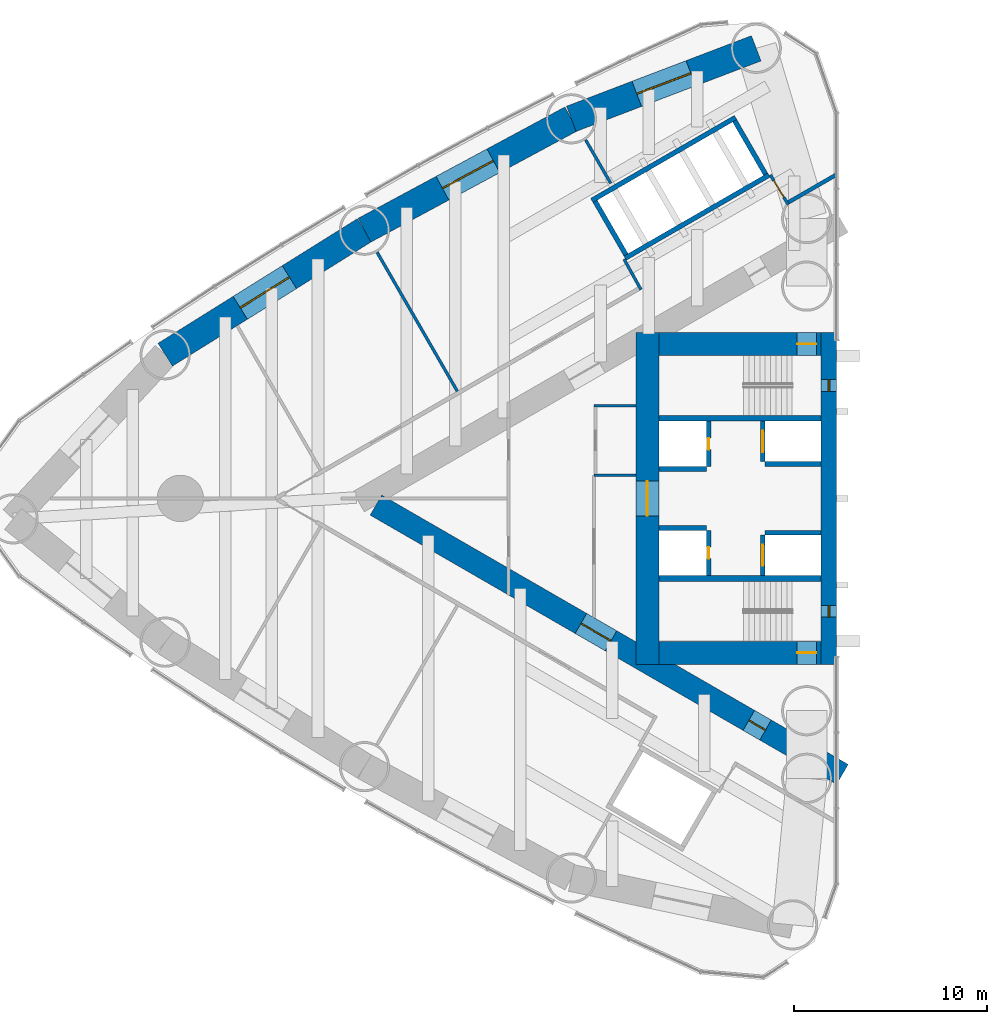
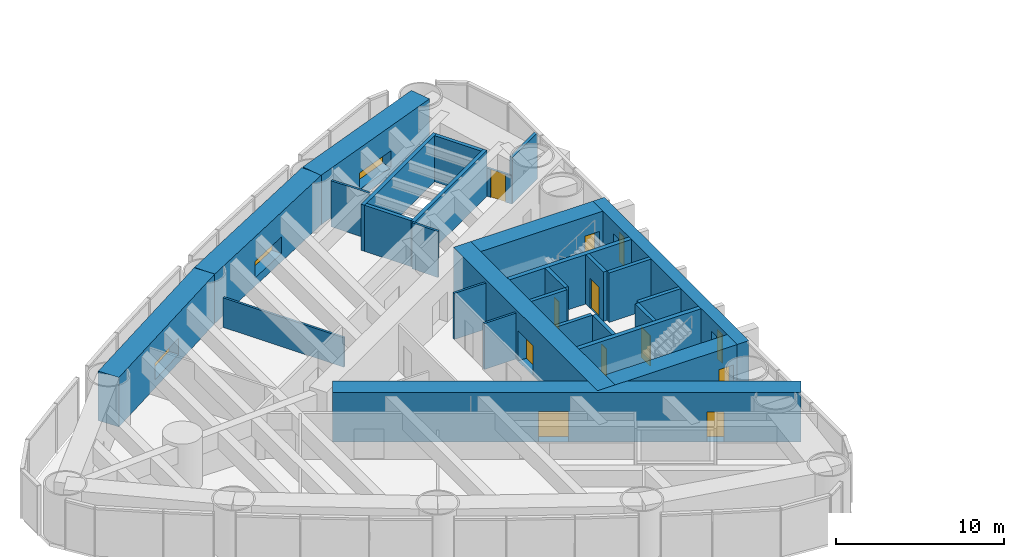
# One storey, part 12 of 16: 29 walls, 10 doors, 5 windows, 15 openings.
"""IFC4 building model written with IfcOpenShell, lengths in metres."""

from ifc_helpers import new_model, si_unit, direction, frame, frame_2d, origin, place, context, subcontext, project, spatial, rectangle, extrude, material, layer, layer_set, type_object, element, fill, save


model = new_model("IFC4")

# Units and contexts
model_context = context("Model", 3, precision=1e-05, world=origin(), true_north=direction((0.0, 1.0)))
body_context = subcontext(model_context, "Body", "Model", "MODEL_VIEW")
ifc_project = project(units=[si_unit("LENGTHUNIT", "METRE"), si_unit("AREAUNIT", "SQUARE_METRE"), si_unit("VOLUMEUNIT", "CUBIC_METRE"), si_unit("PLANEANGLEUNIT", "RADIAN"), si_unit("MASSUNIT", "GRAM", prefix="KILO")], contexts=[model_context])

# Site, building, storey
site_placement = place(None, origin())
site = spatial("IfcSite", under=ifc_project, at=site_placement, CompositionType="ELEMENT")
building_placement = place(site_placement, origin())
building = spatial("IfcBuilding", under=site, at=building_placement, Name="Lancet Gate Hotel", CompositionType="ELEMENT")
storey_placement = place(building_placement, frame((0.0, 0.0, 143.10009765625)))
storey = spatial("IfcBuildingStorey", under=building, at=storey_placement, Name="L38", CompositionType="ELEMENT", Elevation=143.10009765625)

# Wall, opening, window
ifc_material_1 = material(Name="Concrete C80/95", Category="concrete")
ifc_layer_1 = layer(ifc_material_1, 1.39990234375)
ifc_layer_set_1 = layer_set([ifc_layer_1], Name="Belt wall 1400")
wall_type_1 = type_object("IfcWallType", Name="Belt wall 1400", PredefinedType="SHEAR", material=ifc_layer_set_1)
wall_1_placement = place(storey_placement, frame((-31.66455078125, 23.318359375, 0.0), z_axis=(0.0, 0.0, 1.0), x_axis=(-0.934392266213, -0.356245832033, 0.0)))
wall_1 = element("IfcWall", 1, at=wall_1_placement, inside=storey, type_object=wall_type_1, Name="T1 belt wall CS-OS1 L38", PredefinedType="SHEAR", context=body_context, shape_type="SweptSolid", body=[
    extrude(rectangle(XDim=10.2529296875, YDim=1.39990234375, at=frame_2d((5.12646484375, 0.0))), origin(), (0.0, 0.0, 1.0), 3.599853515625),
])
opening_1_placement = place(wall_1_placement, frame((3.62646484375, 0.0, 0.60009765625)))
opening_1 = element("IfcOpeningElement", 2, at=opening_1_placement, cuts=wall_1, Name="Opening LV1", PredefinedType="OPENING", context=body_context, shape_type="SweptSolid", body=[
    extrude(rectangle(XDim=3.0, YDim=1.199951171875, at=frame_2d((1.5, 0.60009765625))), frame((0.0, 0.7099609375, 0.0), z_axis=(0.0, -1.0, 0.0), x_axis=(1.0, 0.0, 0.0)), (0.0, 0.0, 1.0), 1.419921875),
])
ifc_material_2 = material(Name="Aluminium weather louvre", Category="aluminium")
window_type_1 = type_object("IfcWindowType", Name="Refuge louvre 3000x1200", PartitioningType="SINGLE_PANEL", PredefinedType="WINDOW", material=ifc_material_2)
window_1_placement = place(opening_1_placement, origin())
window_1 = element("IfcWindow", 3, at=window_1_placement, inside=storey, type_object=window_type_1, Name="T1 belt louvre CS-OS1 L38", OverallHeight=1.199951171875, OverallWidth=3.0, PartitioningType="SINGLE_PANEL", PredefinedType="WINDOW", context=body_context, shape_type="SweptSolid", body=[
    extrude(rectangle(XDim=3.0, YDim=1.199951171875, at=frame_2d((1.5, 0.60009765625))), frame((0.0, 0.030029296875, 0.0), z_axis=(0.0, -1.0, 0.0), x_axis=(1.0, 0.0, 0.0)), (0.0, 0.0, 1.0), 0.06005859375),
])
fill(opening_1, window_1)

wall_2_placement = place(storey_placement, frame((-41.244873046875, 19.665771484375, 0.0), z_axis=(0.0, 0.0, 1.0), x_axis=(-0.880492350889, -0.474060354835, 0.0)))
wall_2 = element("IfcWall", 4, at=wall_2_placement, inside=storey, type_object=wall_type_1, Name="T1 belt wall OS1-OS2 L38", PredefinedType="SHEAR", context=body_context, shape_type="SweptSolid", body=[
    extrude(rectangle(XDim=12.173095703125, YDim=1.39990234375, at=frame_2d((6.08642578125, 0.0))), origin(), (0.0, 0.0, 1.0), 3.599853515625),
])
opening_2_placement = place(wall_2_placement, frame((4.58642578125, 0.0, 0.60009765625)))
opening_2 = element("IfcOpeningElement", 5, at=opening_2_placement, cuts=wall_2, Name="Opening LV1", PredefinedType="OPENING", context=body_context, shape_type="SweptSolid", body=[
    extrude(rectangle(XDim=3.0, YDim=1.199951171875, at=frame_2d((1.5, 0.60009765625))), frame((0.0, 0.7099609375, 0.0), z_axis=(0.0, -1.0, 0.0), x_axis=(1.0, 0.0, 0.0)), (0.0, 0.0, 1.0), 1.419921875),
])
window_2_placement = place(opening_2_placement, origin())
window_2 = element("IfcWindow", 6, at=window_2_placement, inside=storey, type_object=window_type_1, Name="T1 belt louvre OS1-OS2 L38", OverallHeight=1.199951171875, OverallWidth=3.0, PartitioningType="SINGLE_PANEL", PredefinedType="WINDOW", context=body_context, shape_type="SweptSolid", body=[
    extrude(rectangle(XDim=3.0, YDim=1.199951171875, at=frame_2d((1.5, 0.60009765625))), frame((0.0, 0.030029296875, 0.0), z_axis=(0.0, -1.0, 0.0), x_axis=(1.0, 0.0, 0.0)), (0.0, 0.0, 1.0), 0.06005859375),
])
fill(opening_2, window_2)

wall_3_placement = place(storey_placement, frame((-51.963134765625, 13.89501953125, 0.0), z_axis=(0.0, 0.0, 1.0), x_axis=(-0.848062521637, -0.529896177939, 0.0)))
wall_3 = element("IfcWall", 7, at=wall_3_placement, inside=storey, type_object=wall_type_1, Name="T1 belt wall OS2-OS3 L38", PredefinedType="SHEAR", context=body_context, shape_type="SweptSolid", body=[
    extrude(rectangle(XDim=12.173095703125, YDim=1.39990234375, at=frame_2d((6.08642578125, 0.0))), origin(), (0.0, 0.0, 1.0), 3.599853515625),
])
opening_3_placement = place(wall_3_placement, frame((4.58642578125, 0.0, 0.60009765625)))
opening_3 = element("IfcOpeningElement", 8, at=opening_3_placement, cuts=wall_3, Name="Opening LV1", PredefinedType="OPENING", context=body_context, shape_type="SweptSolid", body=[
    extrude(rectangle(XDim=3.0, YDim=1.199951171875, at=frame_2d((1.5, 0.60009765625))), frame((0.0, 0.7099609375, 0.0), z_axis=(0.0, -1.0, 0.0), x_axis=(1.0, 0.0, 0.0)), (0.0, 0.0, 1.0), 1.419921875),
])
window_3_placement = place(opening_3_placement, origin())
window_3 = element("IfcWindow", 9, at=window_3_placement, inside=storey, type_object=window_type_1, Name="T1 belt louvre OS2-OS3 L38", OverallHeight=1.199951171875, OverallWidth=3.0, PartitioningType="SINGLE_PANEL", PredefinedType="WINDOW", context=body_context, shape_type="SweptSolid", body=[
    extrude(rectangle(XDim=3.0, YDim=1.199951171875, at=frame_2d((1.5, 0.60009765625))), frame((0.0, 0.030029296875, 0.0), z_axis=(0.0, -1.0, 0.0), x_axis=(1.0, 0.0, 0.0)), (0.0, 0.0, 1.0), 0.06005859375),
])
fill(opening_3, window_3)

# Wall, openings, doors
ifc_material_3 = material(Name="Concrete C70/85", Category="concrete")
ifc_layer_2 = layer(ifc_material_3, 1.199951171875)
ifc_layer_set_2 = layer_set([ifc_layer_2], Name="Buttress wall 1200")
wall_type_2 = type_object("IfcWallType", Name="Buttress wall 1200", PredefinedType="SHEAR", material=ifc_layer_set_2)
wall_4_placement = place(storey_placement, frame((-27.199951171875, -14.300048828125, 0.0), z_axis=(0.0, 0.0, 1.0), x_axis=(-0.866024021859, 0.500002393557, 0.0)))
wall_4 = element("IfcWall", 10, at=wall_4_placement, inside=storey, type_object=wall_type_2, Name="T1 buttress wall N L38", PredefinedType="SHEAR", context=body_context, shape_type="SweptSolid", body=[
    extrude(rectangle(XDim=27.906982421875, YDim=1.199951171875, at=frame_2d((13.95361328125, 0.0))), origin(), (0.0, 0.0, 1.0), 3.599853515625),
])
opening_4_placement = place(wall_4_placement, frame((4.60009765625, 0.0, 0.0)))
opening_4 = element("IfcOpeningElement", 11, at=opening_4_placement, cuts=wall_4, Name="Opening T1-L38-LN", PredefinedType="OPENING", context=body_context, shape_type="SweptSolid", body=[
    extrude(rectangle(XDim=1.0, YDim=2.199951171875, at=frame_2d((0.5, 1.10009765625))), frame((0.0, 0.60986328125, 0.0), z_axis=(0.0, -1.0, 0.0), x_axis=(1.0, 0.0, 0.0)), (0.0, 0.0, 1.0), 1.219970703125),
])
opening_5_placement = place(wall_4_placement, frame((13.844970703125, 0.0, 0.0)))
opening_5 = element("IfcOpeningElement", 12, at=opening_5_placement, cuts=wall_4, Name="Opening T1-L38-LHN", PredefinedType="OPENING", context=body_context, shape_type="SweptSolid", body=[
    extrude(rectangle(XDim=1.800048828125, YDim=2.199951171875, at=frame_2d((0.89990234375, 1.10009765625))), frame((0.0, 0.60986328125, 0.0), z_axis=(0.0, -1.0, 0.0), x_axis=(1.0, 0.0, 0.0)), (0.0, 0.0, 1.0), 1.219970703125),
])
ifc_material_4 = material(Name="Timber door set", Category="wood")
door_type_1 = type_object("IfcDoorType", Name="Lobby double door 1800", OperationType="DOUBLE_DOOR_SINGLE_SWING", PredefinedType="DOOR", material=ifc_material_4)
door_1_placement = place(opening_5_placement, origin())
door_1 = element("IfcDoor", 13, at=door_1_placement, inside=storey, type_object=door_type_1, Name="T1-L38-LHN", OperationType="DOUBLE_DOOR_SINGLE_SWING", OverallHeight=2.199951171875, OverallWidth=1.800048828125, PredefinedType="DOOR", context=body_context, shape_type="SweptSolid", body=[
    extrude(rectangle(XDim=1.800048828125, YDim=2.199951171875, at=frame_2d((0.89990234375, 1.10009765625))), frame((0.0, 0.02490234375, 0.0), z_axis=(0.0, -1.0, 0.0), x_axis=(1.0, 0.0, 0.0)), (0.0, 0.0, 1.0), 0.050048828125),
])
fill(opening_5, door_1)
ifc_material_5 = material(Name="Timber door set", Category="wood")
door_type_2 = type_object("IfcDoorType", Name="Stair lobby door 1000", OperationType="SINGLE_SWING_LEFT", PredefinedType="DOOR", material=ifc_material_5)
door_2_placement = place(opening_4_placement, origin())
door_2 = element("IfcDoor", 14, at=door_2_placement, inside=storey, type_object=door_type_2, Name="T1-L38-LN", OperationType="SINGLE_SWING_LEFT", OverallHeight=2.199951171875, OverallWidth=1.0, PredefinedType="DOOR", context=body_context, shape_type="SweptSolid", body=[
    extrude(rectangle(XDim=1.0, YDim=2.199951171875, at=frame_2d((0.5, 1.10009765625))), frame((0.0, 0.02490234375, 0.0), z_axis=(0.0, -1.0, 0.0), x_axis=(1.0, 0.0, 0.0)), (0.0, 0.0, 1.0), 0.050048828125),
])
fill(opening_4, door_2)

# Wall, opening, door
ifc_material_6 = material(Name="Concrete C70/85", Category="concrete")
ifc_layer_3 = layer(ifc_material_6, 1.199951171875)
ifc_layer_set_3 = layer_set([ifc_layer_3], Name="Core wall 1200")
wall_type_3 = type_object("IfcWallType", Name="Core wall 1200", PredefinedType="SHEAR", material=ifc_layer_set_3)
wall_5_placement = place(storey_placement, frame((-37.300048828125, 8.60009765625, 0.0), z_axis=(0.0, 0.0, 1.0), x_axis=(0.0, -1.0, 0.0)))
wall_5 = element("IfcWall", 15, at=wall_5_placement, inside=storey, type_object=wall_type_3, Name="T1 core wall back L38", PredefinedType="SHEAR", context=body_context, shape_type="SweptSolid", body=[
    extrude(rectangle(XDim=17.2001953125, YDim=1.199951171875, at=frame_2d((8.60009765625, 0.0))), origin(), (0.0, 0.0, 1.0), 3.599853515625),
])
opening_6_placement = place(wall_5_placement, frame((7.699951171875, 0.0, 0.0)))
opening_6 = element("IfcOpeningElement", 16, at=opening_6_placement, cuts=wall_5, Name="Opening T1-L38-LL", PredefinedType="OPENING", context=body_context, shape_type="SweptSolid", body=[
    extrude(rectangle(XDim=1.800048828125, YDim=2.199951171875, at=frame_2d((0.89990234375, 1.10009765625))), frame((0.0, 0.60986328125, 0.0), z_axis=(0.0, -1.0, 0.0), x_axis=(1.0, 0.0, 0.0)), (0.0, 0.0, 1.0), 1.219970703125),
])
door_3_placement = place(opening_6_placement, origin())
door_3 = element("IfcDoor", 17, at=door_3_placement, inside=storey, type_object=door_type_1, Name="T1-L38-LL", OperationType="DOUBLE_DOOR_SINGLE_SWING", OverallHeight=2.199951171875, OverallWidth=1.800048828125, PredefinedType="DOOR", context=body_context, shape_type="SweptSolid", body=[
    extrude(rectangle(XDim=1.800048828125, YDim=2.199951171875, at=frame_2d((0.89990234375, 1.10009765625))), frame((0.0, 0.02490234375, 0.0), z_axis=(0.0, -1.0, 0.0), x_axis=(1.0, 0.0, 0.0)), (0.0, 0.0, 1.0), 0.050048828125),
])
fill(opening_6, door_3)

wall_6_placement = place(storey_placement, frame((-28.300048828125, 8.0, 0.0), z_axis=(0.0, 0.0, 1.0), x_axis=(-1.0, 0.0, 0.0)))
wall_6 = element("IfcWall", 18, at=wall_6_placement, inside=storey, type_object=wall_type_3, Name="T1 core wall side-S L38", PredefinedType="SHEAR", context=body_context, shape_type="SweptSolid", body=[
    extrude(rectangle(XDim=8.39990234375, YDim=1.199951171875, at=frame_2d((4.199951171875, 0.0))), origin(), (0.0, 0.0, 1.0), 3.599853515625),
])
opening_7_placement = place(wall_6_placement, frame((0.25, 0.0, 0.0)))
opening_7 = element("IfcOpeningElement", 19, at=opening_7_placement, cuts=wall_6, Name="Opening T1-L38-ST1", PredefinedType="OPENING", context=body_context, shape_type="SweptSolid", body=[
    extrude(rectangle(XDim=1.0, YDim=2.199951171875, at=frame_2d((0.5, 1.10009765625))), frame((0.0, 0.60986328125, 0.0), z_axis=(0.0, -1.0, 0.0), x_axis=(1.0, 0.0, 0.0)), (0.0, 0.0, 1.0), 1.219970703125),
])
ifc_material_7 = material(Name="Timber door set", Category="wood")
door_type_3 = type_object("IfcDoorType", Name="Stair door 1000", OperationType="SINGLE_SWING_RIGHT", PredefinedType="DOOR", material=ifc_material_7)
door_4_placement = place(opening_7_placement, origin())
door_4 = element("IfcDoor", 20, at=door_4_placement, inside=storey, type_object=door_type_3, Name="T1-L38-ST1", OperationType="SINGLE_SWING_RIGHT", OverallHeight=2.199951171875, OverallWidth=1.0, PredefinedType="DOOR", context=body_context, shape_type="SweptSolid", body=[
    extrude(rectangle(XDim=1.0, YDim=2.199951171875, at=frame_2d((0.5, 1.10009765625))), frame((0.0, 0.02490234375, 0.0), z_axis=(0.0, -1.0, 0.0), x_axis=(1.0, 0.0, 0.0)), (0.0, 0.0, 1.0), 0.050048828125),
])
fill(opening_7, door_4)

wall_7_placement = place(storey_placement, frame((-28.300048828125, -8.0, 0.0), z_axis=(0.0, 0.0, 1.0), x_axis=(-1.0, 0.0, 0.0)))
wall_7 = element("IfcWall", 21, at=wall_7_placement, inside=storey, type_object=wall_type_3, Name="T1 core wall side-N L38", PredefinedType="SHEAR", context=body_context, shape_type="SweptSolid", body=[
    extrude(rectangle(XDim=8.39990234375, YDim=1.199951171875, at=frame_2d((4.199951171875, 0.0))), origin(), (0.0, 0.0, 1.0), 3.599853515625),
])
opening_8_placement = place(wall_7_placement, frame((0.25, 0.0, 0.0)))
opening_8 = element("IfcOpeningElement", 22, at=opening_8_placement, cuts=wall_7, Name="Opening T1-L38-ST2", PredefinedType="OPENING", context=body_context, shape_type="SweptSolid", body=[
    extrude(rectangle(XDim=1.0, YDim=2.199951171875, at=frame_2d((0.5, 1.10009765625))), frame((0.0, 0.60986328125, 0.0), z_axis=(0.0, -1.0, 0.0), x_axis=(1.0, 0.0, 0.0)), (0.0, 0.0, 1.0), 1.219970703125),
])
door_5_placement = place(opening_8_placement, origin())
door_5 = element("IfcDoor", 23, at=door_5_placement, inside=storey, type_object=door_type_3, Name="T1-L38-ST2", OperationType="SINGLE_SWING_RIGHT", OverallHeight=2.199951171875, OverallWidth=1.0, PredefinedType="DOOR", context=body_context, shape_type="SweptSolid", body=[
    extrude(rectangle(XDim=1.0, YDim=2.199951171875, at=frame_2d((0.5, 1.10009765625))), frame((0.0, 0.02490234375, 0.0), z_axis=(0.0, -1.0, 0.0), x_axis=(1.0, 0.0, 0.0)), (0.0, 0.0, 1.0), 0.050048828125),
])
fill(opening_8, door_5)

# Wall, openings, windows
ifc_material_8 = material(Name="Concrete C70/85", Category="concrete")
ifc_layer_4 = layer(ifc_material_8, 0.800048828125)
ifc_layer_set_4 = layer_set([ifc_layer_4], Name="Core wall 800")
wall_type_4 = type_object("IfcWallType", Name="Core wall 800", PredefinedType="SHEAR", material=ifc_layer_set_4)
wall_8_placement = place(storey_placement, frame((-27.89990234375, 8.60009765625, 0.0), z_axis=(0.0, 0.0, 1.0), x_axis=(0.0, -1.0, 0.0)))
wall_8 = element("IfcWall", 24, at=wall_8_placement, inside=storey, type_object=wall_type_4, Name="T1 core wall front L38", PredefinedType="SHEAR", context=body_context, shape_type="SweptSolid", body=[
    extrude(rectangle(XDim=17.2001953125, YDim=0.800048828125, at=frame_2d((8.60009765625, 0.0))), origin(), (0.0, 0.0, 1.0), 3.599853515625),
])
opening_9_placement = place(wall_8_placement, frame((2.449951171875, 0.0, 0.60009765625)))
opening_9 = element("IfcOpeningElement", 25, at=opening_9_placement, cuts=wall_8, Name="Opening LW1", PredefinedType="OPENING", context=body_context, shape_type="SweptSolid", body=[
    extrude(rectangle(XDim=0.60009765625, YDim=2.10009765625, at=frame_2d((0.300048828125, 1.050048828125))), frame((0.0, 0.409912109375, 0.0), z_axis=(0.0, -1.0, 0.0), x_axis=(1.0, 0.0, 0.0)), (0.0, 0.0, 1.0), 0.820068359375),
])
opening_10_placement = place(wall_8_placement, frame((14.14990234375, 0.0, 0.60009765625)))
opening_10 = element("IfcOpeningElement", 26, at=opening_10_placement, cuts=wall_8, Name="Opening LW1", PredefinedType="OPENING", context=body_context, shape_type="SweptSolid", body=[
    extrude(rectangle(XDim=0.60009765625, YDim=2.10009765625, at=frame_2d((0.300048828125, 1.050048828125))), frame((0.0, 0.409912109375, 0.0), z_axis=(0.0, -1.0, 0.0), x_axis=(1.0, 0.0, 0.0)), (0.0, 0.0, 1.0), 0.820068359375),
])
ifc_material_9 = material(Name="Fire-resisting glazed steel window", Category="steel")
window_type_2 = type_object("IfcWindowType", Name="Lancet window 600x2100", PartitioningType="SINGLE_PANEL", PredefinedType="WINDOW", material=ifc_material_9)
window_4_placement = place(opening_9_placement, origin())
window_4 = element("IfcWindow", 27, at=window_4_placement, inside=storey, type_object=window_type_2, Name="T1 stair window S L38", OverallHeight=2.10009765625, OverallWidth=0.60009765625, PartitioningType="SINGLE_PANEL", PredefinedType="WINDOW", context=body_context, shape_type="SweptSolid", body=[
    extrude(rectangle(XDim=0.60009765625, YDim=2.10009765625, at=frame_2d((0.300048828125, 1.050048828125))), frame((0.0, 0.030029296875, 0.0), z_axis=(0.0, -1.0, 0.0), x_axis=(1.0, 0.0, 0.0)), (0.0, 0.0, 1.0), 0.06005859375),
])
fill(opening_9, window_4)
window_5_placement = place(opening_10_placement, origin())
window_5 = element("IfcWindow", 28, at=window_5_placement, inside=storey, type_object=window_type_2, Name="T1 stair window N L38", OverallHeight=2.10009765625, OverallWidth=0.60009765625, PartitioningType="SINGLE_PANEL", PredefinedType="WINDOW", context=body_context, shape_type="SweptSolid", body=[
    extrude(rectangle(XDim=0.60009765625, YDim=2.10009765625, at=frame_2d((0.300048828125, 1.050048828125))), frame((0.0, 0.030029296875, 0.0), z_axis=(0.0, -1.0, 0.0), x_axis=(1.0, 0.0, 0.0)), (0.0, 0.0, 1.0), 0.06005859375),
])
fill(opening_10, window_5)

# Walls
ifc_material_10 = material(Name="Gypsum board partition")
ifc_layer_5 = layer(ifc_material_10, 0.199951171875)
ifc_layer_set_5 = layer_set([ifc_layer_5], Name="Corridor wall 200")
wall_type_5 = type_object("IfcWallType", Name="Corridor wall 200", PredefinedType="PARTITIONING", material=ifc_layer_set_5)
wall_9_placement = place(storey_placement, frame((-27.5, 16.782470703125, 0.0), z_axis=(0.0, 0.0, 1.0), x_axis=(-0.866045812642, -0.499964649156, 0.0)))
element("IfcWall", 29, at=wall_9_placement, inside=storey, type_object=wall_type_5, Name="T1 corridor wall 200 L38", PredefinedType="PARTITIONING", context=body_context, shape_type="SweptSolid", body=[
    extrude(rectangle(XDim=2.937744140625, YDim=0.199951171875, at=frame_2d((1.46875, 0.0))), origin(), (0.0, 0.0, 1.0), 3.349853515625),
])
ifc_material_11 = material(Name="Gypsum board partition")
ifc_layer_6 = layer(ifc_material_11, 0.25)
ifc_layer_set_6 = layer_set([ifc_layer_6], Name="Lift shaft partition 250")
wall_type_6 = type_object("IfcWallType", Name="Lift shaft partition 250", PredefinedType="PARTITIONING", material=ifc_layer_set_6)
for number, where, z_axis, x_axis, name in (
    (30, (-31.010498046875, 16.747314453125, 0.0), (0.0, 0.0, 1.0), (-0.866028165386, -0.499995216735, 0.0), "T1 lift shaft wall LR L38"),
    (31, (-32.735595703125, 19.73583984375, 0.0), (0.0, 0.0, 1.0), (-0.866028165386, -0.499995216735, 0.0), "T1 lift shaft wall LR L38"),
):
    element("IfcWall", number, at=place(storey_placement, frame(where, z_axis=z_axis, x_axis=x_axis)), inside=storey, type_object=wall_type_6, Name=name, PredefinedType="PARTITIONING", context=body_context, shape_type="SweptSolid", body=[
        extrude(rectangle(XDim=8.60009765625, YDim=0.25, at=frame_2d((4.300048828125, 0.0))), origin(), (0.0, 0.0, 1.0), 3.349853515625),
    ])
wall_10_placement = place(storey_placement, frame((-31.18115234375, 16.79296875, 0.0), z_axis=(0.0, 0.0, 1.0), x_axis=(-0.499929347863, 0.866066190972, 0.0)))
element("IfcWall", 32, at=wall_10_placement, inside=storey, type_object=wall_type_6, Name="T1 lift shaft wall LR L38", PredefinedType="PARTITIONING", context=body_context, shape_type="SweptSolid", body=[
    extrude(rectangle(XDim=3.20068359375, YDim=0.25, at=frame_2d((1.600341796875, 0.0))), origin(), (0.0, 0.0, 1.0), 3.349853515625),
])
wall_11_placement = place(storey_placement, frame((-38.412841796875, 12.617919921875, 0.0), z_axis=(0.0, 0.0, 1.0), x_axis=(-0.499872130319, 0.866099216793, 0.0)))
element("IfcWall", 33, at=wall_11_placement, inside=storey, type_object=wall_type_6, Name="T1 lift shaft wall LR L38", PredefinedType="PARTITIONING", context=body_context, shape_type="SweptSolid", body=[
    extrude(rectangle(XDim=3.200439453125, YDim=0.25, at=frame_2d((1.60009765625, 0.0))), origin(), (0.0, 0.0, 1.0), 3.349853515625),
])

# Wall, opening, door
ifc_material_12 = material(Name="Concrete C50/60", Category="concrete")
ifc_layer_7 = layer(ifc_material_12, 0.25)
ifc_layer_set_7 = layer_set([ifc_layer_7], Name="Lift shaft wall 250")
wall_type_7 = type_object("IfcWallType", Name="Lift shaft wall 250", PredefinedType="SHEAR", material=ifc_layer_set_7)
wall_12_placement = place(storey_placement, frame((-31.324951171875, 4.0, 0.0), z_axis=(0.0, 0.0, 1.0), x_axis=(0.0, -1.0, 0.0)))
wall_12 = element("IfcWall", 34, at=wall_12_placement, inside=storey, type_object=wall_type_7, Name="T1 core wall row1-S L38", PredefinedType="SHEAR", context=body_context, shape_type="SweptSolid", body=[
    extrude(rectangle(XDim=2.10009765625, YDim=0.25, at=frame_2d((1.050048828125, 0.0))), origin(), (0.0, 0.0, 1.0), 3.599853515625),
])
opening_11_placement = place(wall_12_placement, frame((0.5, 0.0, 0.0)))
opening_11 = element("IfcOpeningElement", 35, at=opening_11_placement, cuts=wall_12, Name="Opening T1-SL1-L38", PredefinedType="OPENING", context=body_context, shape_type="SweptSolid", body=[
    extrude(rectangle(XDim=1.10009765625, YDim=2.199951171875, at=frame_2d((0.550048828125, 1.10009765625))), frame((0.0, 0.135009765625, 0.0), z_axis=(0.0, -1.0, 0.0), x_axis=(1.0, 0.0, 0.0)), (0.0, 0.0, 1.0), 0.27001953125),
])
ifc_material_13 = material(Name="Timber door set", Category="wood")
door_type_4 = type_object("IfcDoorType", Name="Service lift landing door 1100", OperationType="SLIDING_TO_LEFT", PredefinedType="USERDEFINED", material=ifc_material_13)
door_6_placement = place(opening_11_placement, origin())
door_6 = element("IfcDoor", 36, at=door_6_placement, inside=storey, type_object=door_type_4, Name="T1-SL1-L38", ObjectType="LIFT LANDING DOOR", OperationType="SLIDING_TO_LEFT", OverallHeight=2.199951171875, OverallWidth=1.10009765625, PredefinedType="USERDEFINED", context=body_context, shape_type="SweptSolid", body=[
    extrude(rectangle(XDim=1.10009765625, YDim=2.199951171875, at=frame_2d((0.550048828125, 1.10009765625))), frame((0.0, 0.02490234375, 0.0), z_axis=(0.0, -1.0, 0.0), x_axis=(1.0, 0.0, 0.0)), (0.0, 0.0, 1.0), 0.050048828125),
])
fill(opening_11, door_6)

wall_13_placement = place(storey_placement, frame((-34.125, 4.0, 0.0), z_axis=(0.0, 0.0, 1.0), x_axis=(0.0, -1.0, 0.0)))
wall_13 = element("IfcWall", 37, at=wall_13_placement, inside=storey, type_object=wall_type_7, Name="T1 core wall row2-S L38", PredefinedType="SHEAR", context=body_context, shape_type="SweptSolid", body=[
    extrude(rectangle(XDim=2.35009765625, YDim=0.25, at=frame_2d((1.175048828125, 0.0))), origin(), (0.0, 0.0, 1.0), 3.599853515625),
])
opening_12_placement = place(wall_13_placement, frame((0.875, 0.0, 0.0)))
opening_12 = element("IfcOpeningElement", 38, at=opening_12_placement, cuts=wall_13, Name="Opening T1-OL3-L38-E", PredefinedType="OPENING", context=body_context, shape_type="SweptSolid", body=[
    extrude(rectangle(XDim=0.60009765625, YDim=2.0, at=frame_2d((0.300048828125, 1.0))), frame((0.0, 0.135009765625, 0.0), z_axis=(0.0, -1.0, 0.0), x_axis=(1.0, 0.0, 0.0)), (0.0, 0.0, 1.0), 0.27001953125),
])
ifc_material_14 = material(Name="Steel door set", Category="steel")
door_type_5 = type_object("IfcDoorType", Name="Lift shaft emergency door 600x2000", OperationType="SLIDING_TO_LEFT", PredefinedType="DOOR", material=ifc_material_14)
door_7_placement = place(opening_12_placement, origin())
door_7 = element("IfcDoor", 39, at=door_7_placement, inside=storey, type_object=door_type_5, Name="T1-OL3-L38-E", OperationType="SLIDING_TO_LEFT", OverallHeight=2.0, OverallWidth=0.60009765625, PredefinedType="DOOR", context=body_context, shape_type="SweptSolid", body=[
    extrude(rectangle(XDim=0.60009765625, YDim=2.0, at=frame_2d((0.300048828125, 1.0))), frame((0.0, 0.02490234375, 0.0), z_axis=(0.0, -1.0, 0.0), x_axis=(1.0, 0.0, 0.0)), (0.0, 0.0, 1.0), 0.050048828125),
])
fill(opening_12, door_7)

# Walls
wall_14_placement = place(storey_placement, frame((-28.300048828125, 1.77490234375, 0.0), z_axis=(0.0, 0.0, 1.0), x_axis=(-1.0, 0.0, 0.0)))
element("IfcWall", 40, at=wall_14_placement, inside=storey, type_object=wall_type_7, Name="T1 core wall pass1-S L38", PredefinedType="SHEAR", context=body_context, shape_type="SweptSolid", body=[
    extrude(rectangle(XDim=2.89990234375, YDim=0.25, at=frame_2d((1.449951171875, 0.0))), origin(), (0.0, 0.0, 1.0), 3.599853515625),
])
wall_15_placement = place(storey_placement, frame((-34.25, 1.52490234375, 0.0), z_axis=(0.0, 0.0, 1.0), x_axis=(-1.0, 0.0, 0.0)))
element("IfcWall", 41, at=wall_15_placement, inside=storey, type_object=wall_type_7, Name="T1 core wall pass2-S L38", PredefinedType="SHEAR", context=body_context, shape_type="SweptSolid", body=[
    extrude(rectangle(XDim=2.449951171875, YDim=0.25, at=frame_2d((1.22509765625, 0.0))), origin(), (0.0, 0.0, 1.0), 3.599853515625),
])

# Wall, opening, door
wall_16_placement = place(storey_placement, frame((-31.324951171875, -1.89990234375, 0.0), z_axis=(0.0, 0.0, 1.0), x_axis=(0.0, -1.0, 0.0)))
wall_16 = element("IfcWall", 42, at=wall_16_placement, inside=storey, type_object=wall_type_7, Name="T1 core wall row1-N L38", PredefinedType="SHEAR", context=body_context, shape_type="SweptSolid", body=[
    extrude(rectangle(XDim=2.10009765625, YDim=0.25, at=frame_2d((1.050048828125, 0.0))), origin(), (0.0, 0.0, 1.0), 3.599853515625),
])
opening_13_placement = place(wall_16_placement, frame((0.5, 0.0, 0.0)))
opening_13 = element("IfcOpeningElement", 43, at=opening_13_placement, cuts=wall_16, Name="Opening T1-FL2-L38", PredefinedType="OPENING", context=body_context, shape_type="SweptSolid", body=[
    extrude(rectangle(XDim=1.10009765625, YDim=2.199951171875, at=frame_2d((0.550048828125, 1.10009765625))), frame((0.0, 0.135009765625, 0.0), z_axis=(0.0, -1.0, 0.0), x_axis=(1.0, 0.0, 0.0)), (0.0, 0.0, 1.0), 0.27001953125),
])
ifc_material_15 = material(Name="Steel door set", Category="steel")
door_type_6 = type_object("IfcDoorType", Name="Firefighting lift landing door 1100", OperationType="SLIDING_TO_LEFT", PredefinedType="USERDEFINED", material=ifc_material_15)
door_8_placement = place(opening_13_placement, origin())
door_8 = element("IfcDoor", 44, at=door_8_placement, inside=storey, type_object=door_type_6, Name="T1-FL2-L38", ObjectType="LIFT LANDING DOOR", OperationType="SLIDING_TO_LEFT", OverallHeight=2.199951171875, OverallWidth=1.10009765625, PredefinedType="USERDEFINED", context=body_context, shape_type="SweptSolid", body=[
    extrude(rectangle(XDim=1.10009765625, YDim=2.199951171875, at=frame_2d((0.550048828125, 1.10009765625))), frame((0.0, 0.02490234375, 0.0), z_axis=(0.0, -1.0, 0.0), x_axis=(1.0, 0.0, 0.0)), (0.0, 0.0, 1.0), 0.050048828125),
])
fill(opening_13, door_8)

wall_17_placement = place(storey_placement, frame((-34.125, -1.64990234375, 0.0), z_axis=(0.0, 0.0, 1.0), x_axis=(0.0, -1.0, 0.0)))
wall_17 = element("IfcWall", 45, at=wall_17_placement, inside=storey, type_object=wall_type_7, Name="T1 core wall row2-N L38", PredefinedType="SHEAR", context=body_context, shape_type="SweptSolid", body=[
    extrude(rectangle(XDim=2.35009765625, YDim=0.25, at=frame_2d((1.175048828125, 0.0))), origin(), (0.0, 0.0, 1.0), 3.599853515625),
])
opening_14_placement = place(wall_17_placement, frame((0.875, 0.0, 0.0)))
opening_14 = element("IfcOpeningElement", 46, at=opening_14_placement, cuts=wall_17, Name="Opening T1-OL4-L38-E", PredefinedType="OPENING", context=body_context, shape_type="SweptSolid", body=[
    extrude(rectangle(XDim=0.60009765625, YDim=2.0, at=frame_2d((0.300048828125, 1.0))), frame((0.0, 0.135009765625, 0.0), z_axis=(0.0, -1.0, 0.0), x_axis=(1.0, 0.0, 0.0)), (0.0, 0.0, 1.0), 0.27001953125),
])
door_9_placement = place(opening_14_placement, origin())
door_9 = element("IfcDoor", 47, at=door_9_placement, inside=storey, type_object=door_type_5, Name="T1-OL4-L38-E", OperationType="SLIDING_TO_LEFT", OverallHeight=2.0, OverallWidth=0.60009765625, PredefinedType="DOOR", context=body_context, shape_type="SweptSolid", body=[
    extrude(rectangle(XDim=0.60009765625, YDim=2.0, at=frame_2d((0.300048828125, 1.0))), frame((0.0, 0.02490234375, 0.0), z_axis=(0.0, -1.0, 0.0), x_axis=(1.0, 0.0, 0.0)), (0.0, 0.0, 1.0), 0.050048828125),
])
fill(opening_14, door_9)

# Walls
wall_18_placement = place(storey_placement, frame((-28.300048828125, -1.77490234375, 0.0), z_axis=(0.0, 0.0, 1.0), x_axis=(-1.0, 0.0, 0.0)))
element("IfcWall", 48, at=wall_18_placement, inside=storey, type_object=wall_type_7, Name="T1 core wall pass1-N L38", PredefinedType="SHEAR", context=body_context, shape_type="SweptSolid", body=[
    extrude(rectangle(XDim=2.89990234375, YDim=0.25, at=frame_2d((1.449951171875, 0.0))), origin(), (0.0, 0.0, 1.0), 3.599853515625),
])
wall_19_placement = place(storey_placement, frame((-34.25, -1.52490234375, 0.0), z_axis=(0.0, 0.0, 1.0), x_axis=(-1.0, 0.0, 0.0)))
element("IfcWall", 49, at=wall_19_placement, inside=storey, type_object=wall_type_7, Name="T1 core wall pass2-N L38", PredefinedType="SHEAR", context=body_context, shape_type="SweptSolid", body=[
    extrude(rectangle(XDim=2.449951171875, YDim=0.25, at=frame_2d((1.22509765625, 0.0))), origin(), (0.0, 0.0, 1.0), 3.599853515625),
])
ifc_material_16 = material(Name="Gypsum board partition")
ifc_layer_8 = layer(ifc_material_16, 0.14990234375)
ifc_layer_set_8 = layer_set([ifc_layer_8], Name="Party wall 150")
wall_type_8 = type_object("IfcWallType", Name="Party wall 150", PredefinedType="PARTITIONING", material=ifc_layer_set_8)
wall_20_placement = place(storey_placement, frame((-47.151123046875, 5.552490234375, 0.0), z_axis=(0.0, 0.0, 1.0), x_axis=(-0.500003012045, 0.866023664773, 0.0)))
element("IfcWall", 50, at=wall_20_placement, inside=storey, type_object=wall_type_8, Name="T1 party wall 150 L38", PredefinedType="PARTITIONING", context=body_context, shape_type="SweptSolid", body=[
    extrude(rectangle(XDim=8.31103515625, YDim=0.14990234375, at=frame_2d((4.155517578125, 0.0))), origin(), (0.0, 0.0, 1.0), 2.14990234375),
])
wall_21_placement = place(storey_placement, frame((-39.202392578125, 16.31982421875, 0.0), z_axis=(0.0, 0.0, 1.0), x_axis=(-0.499947391036, 0.866055775454, 0.0)))
element("IfcWall", 51, at=wall_21_placement, inside=storey, type_object=wall_type_8, Name="T1 party wall 150 L38", PredefinedType="PARTITIONING", context=body_context, shape_type="SweptSolid", body=[
    extrude(rectangle(XDim=2.599365234375, YDim=0.14990234375, at=frame_2d((1.2998046875, 0.0))), origin(), (0.0, 0.0, 1.0), 3.349853515625),
])

# Wall, opening, door
ifc_material_17 = material(Name="Gypsum board partition")
ifc_layer_9 = layer(ifc_material_17, 0.14990234375)
ifc_layer_set_9 = layer_set([ifc_layer_9], Name="Service room wall 150")
wall_type_9 = type_object("IfcWallType", Name="Service room wall 150", PredefinedType="PARTITIONING", material=ifc_layer_set_9)
wall_22_placement = place(storey_placement, frame((-30.00732421875, 15.219482421875, 0.0), z_axis=(0.0, 0.0, 1.0), x_axis=(-0.514296815006, 0.857612258585, 0.0)))
wall_22 = element("IfcWall", 52, at=wall_22_placement, inside=storey, type_object=wall_type_9, Name="T1 service room wall 150 L38", PredefinedType="PARTITIONING", context=body_context, shape_type="SweptSolid", body=[
    extrude(rectangle(XDim=1.804931640625, YDim=0.14990234375, at=frame_2d((0.90234375, 0.0))), origin(), (0.0, 0.0, 1.0), 2.0498046875),
])
opening_15_placement = place(wall_22_placement, frame((0.451904296875, 0.0, 0.0)))
opening_15 = element("IfcOpeningElement", 53, at=opening_15_placement, cuts=wall_22, Name="Opening T1-L38-B01", PredefinedType="OPENING", context=body_context, shape_type="SweptSolid", body=[
    extrude(rectangle(XDim=1.0, YDim=2.0400390625, at=frame_2d((0.5, 1.02001953125))), frame((0.0, 0.0849609375, 0.0), z_axis=(0.0, -1.0, 0.0), x_axis=(1.0, 0.0, 0.0)), (0.0, 0.0, 1.0), 0.169921875),
])
ifc_material_18 = material(Name="Timber door set", Category="wood")
door_type_7 = type_object("IfcDoorType", Name="Service door 1000, 2040 high", OperationType="SINGLE_SWING_LEFT", PredefinedType="DOOR", material=ifc_material_18)
door_10_placement = place(opening_15_placement, origin())
door_10 = element("IfcDoor", 54, at=door_10_placement, inside=storey, type_object=door_type_7, Name="T1-L38-B01", OperationType="SINGLE_SWING_LEFT", OverallHeight=2.0400390625, OverallWidth=1.0, PredefinedType="DOOR", context=body_context, shape_type="SweptSolid", body=[
    extrude(rectangle(XDim=1.0, YDim=2.0400390625, at=frame_2d((0.5, 1.02001953125))), frame((0.0, 0.02490234375, 0.0), z_axis=(0.0, -1.0, 0.0), x_axis=(1.0, 0.0, 0.0)), (0.0, 0.0, 1.0), 0.050048828125),
])
fill(opening_15, door_10)

# Walls
wall_23_placement = place(storey_placement, frame((-38.513427734375, 12.392333984375, 0.0), z_axis=(0.0, 0.0, 1.0), x_axis=(0.485585508183, -0.874189175317, 0.0)))
element("IfcWall", 55, at=wall_23_placement, inside=storey, type_object=wall_type_9, Name="T1 service room wall 150 L38", PredefinedType="PARTITIONING", context=body_context, shape_type="SweptSolid", body=[
    extrude(rectangle(XDim=1.804931640625, YDim=0.14990234375, at=frame_2d((0.90234375, 0.0))), origin(), (0.0, 0.0, 1.0), 3.349853515625),
])
for number, where, z_axis, x_axis, name in (
    (56, (-37.89990234375, 1.199951171875, 0.0), (0.0, 0.0, 1.0), (-1.0, 0.0, 0.0), "T1 service room wall 150 L38"),
    (57, (-37.89990234375, 4.800048828125, 0.0), (0.0, 0.0, 1.0), (-1.0, 0.0, 0.0), "T1 service room wall 150 L38"),
):
    element("IfcWall", number, at=place(storey_placement, frame(where, z_axis=z_axis, x_axis=x_axis)), inside=storey, type_object=wall_type_9, Name=name, PredefinedType="PARTITIONING", context=body_context, shape_type="SweptSolid", body=[
        extrude(rectangle(XDim=2.175048828125, YDim=0.14990234375, at=frame_2d((1.08740234375, 0.0))), origin(), (0.0, 0.0, 1.0), 3.349853515625),
    ])
ifc_material_19 = material(Name="Concrete C50/60", Category="concrete")
ifc_layer_10 = layer(ifc_material_19, 0.300048828125)
ifc_layer_set_10 = layer_set([ifc_layer_10], Name="Stair enclosure wall 300")
wall_type_10 = type_object("IfcWallType", Name="Stair enclosure wall 300", PredefinedType="SHEAR", material=ifc_layer_set_10)
for number, where, z_axis, x_axis, name in (
    (58, (-28.300048828125, 4.14990234375, 0.0), (0.0, 0.0, 1.0), (-1.0, 0.0, 0.0), "T1 core wall stair-S L38"),
    (59, (-28.300048828125, -4.14990234375, 0.0), (0.0, 0.0, 1.0), (-1.0, 0.0, 0.0), "T1 core wall stair-N L38"),
):
    element("IfcWall", number, at=place(storey_placement, frame(where, z_axis=z_axis, x_axis=x_axis)), inside=storey, type_object=wall_type_10, Name=name, PredefinedType="SHEAR", context=body_context, shape_type="SweptSolid", body=[
        extrude(rectangle(XDim=8.39990234375, YDim=0.300048828125, at=frame_2d((4.199951171875, 0.0))), origin(), (0.0, 0.0, 1.0), 3.599853515625),
    ])

save(model, "model.ifc")
